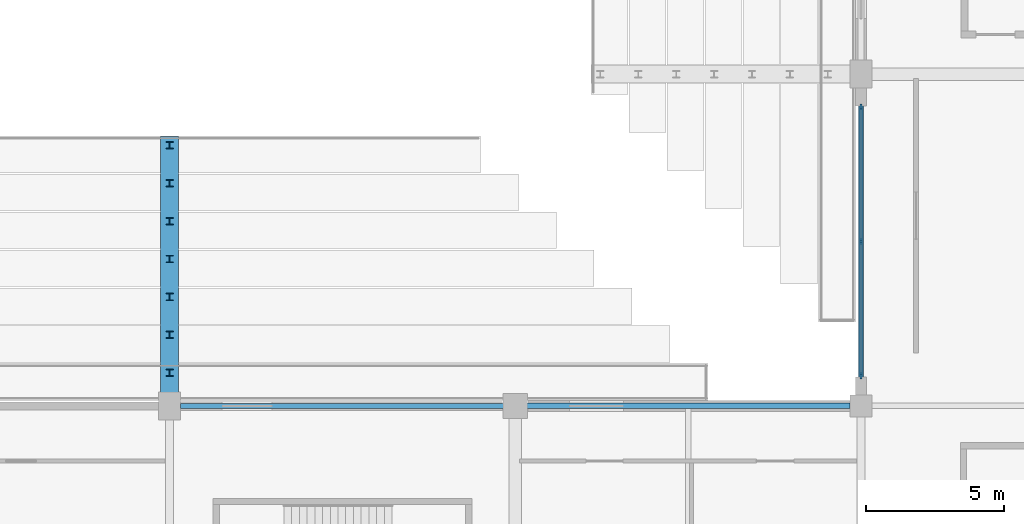
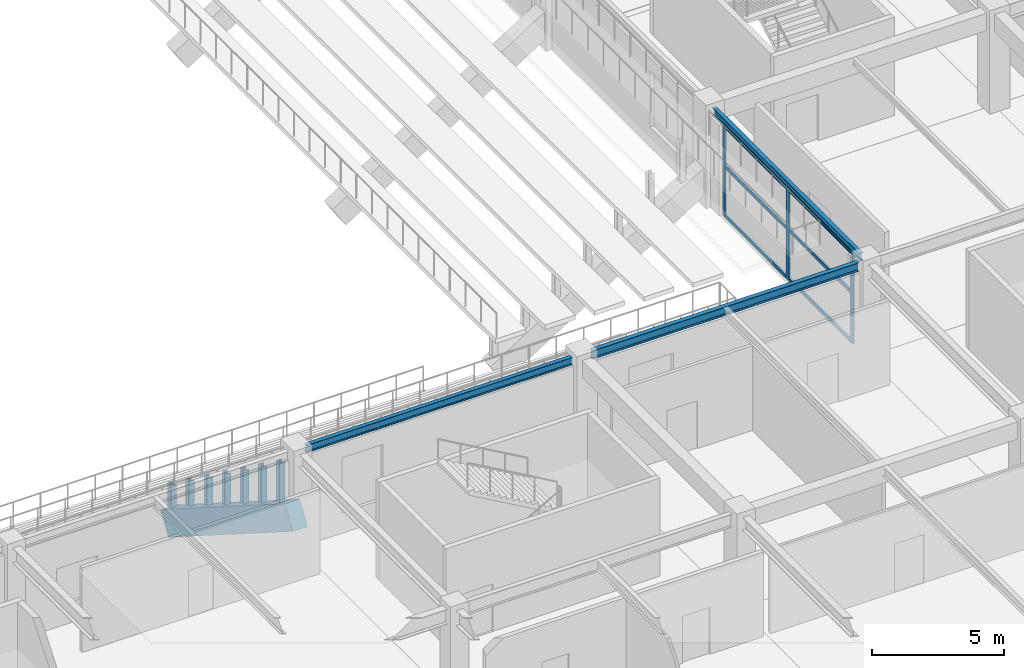
# One storey, part 33 of 134: 16 members, 4 beams, 1 element without a shape of its own.
"""IFC4 building model written with IfcOpenShell, lengths in metres."""

import ifcopenshell
import ifcopenshell.guid

model = None  # the IFC model being written
_history = None  # IfcOwnerHistory: only IFC2X3 demands one
_inside = {}  # id of a spatial element -> (the spatial element, [elements in it])
_under = {}  # id of a project, library or spatial element -> (it, [spatial elements below it])
_declared = {}  # id of a project -> (the project, [libraries it declares])
_typed = {}  # id of a type object -> (the type object, [elements of that type])
_made_of = {}  # id of a material, layer set ... -> (it, [elements and type objects made of it])


def new_model(schema):
    """Start an empty IFC model of exactly this schema.

    Asked for "IFC4X3", IfcOpenShell would pick the latest addendum, in which some entities
    have other attributes; the version numbers below select the first issue.
    IFC2X3 requires an IfcOwnerHistory on every rooted entity: one is made here for all.
    """
    global model, _history
    if schema == "IFC4X3":
        model = ifcopenshell.file(schema_version=(4, 3, 0, 0))
    else:
        model = ifcopenshell.file(schema=schema)
    _inside.clear()
    _under.clear()
    _declared.clear()
    _typed.clear()
    _made_of.clear()
    _history = None
    if model.schema == "IFC2X3":
        org = make("IfcOrganization", Name="unknown")
        user = make(
            "IfcPersonAndOrganization",
            ThePerson=make("IfcPerson", FamilyName="unknown"),
            TheOrganization=org,
        )
        app = make(
            "IfcApplication",
            ApplicationDeveloper=org,
            Version="unknown",
            ApplicationFullName="unknown",
            ApplicationIdentifier="unknown",
        )
        _history = make(
            "IfcOwnerHistory",
            OwningUser=user,
            OwningApplication=app,
            ChangeAction="ADDED",
            CreationDate=0,
        )
    return model


def make(cls, **values):
    """One entity of the class cls with the attributes given. An attribute that is None is left unset."""
    return model.create_entity(
        cls, **{name: value for name, value in values.items() if value is not None}
    )


def rooted(cls, **values):
    """An entity with a GlobalId (a new one), such as an element, a storey or a relation."""
    return make(cls, GlobalId=ifcopenshell.guid.new(), OwnerHistory=_history, **values)


def si_unit(unit_type, name, prefix=None):
    """IfcSIUnit, for example si_unit("LENGTHUNIT", "METRE", prefix="MILLI")."""
    return make("IfcSIUnit", UnitType=unit_type, Prefix=prefix, Name=name)


def assignment(units):
    """IfcUnitAssignment: the units of a project."""
    return None if units is None else make("IfcUnitAssignment", Units=units)


def point(xyz):
    """IfcCartesianPoint."""
    return None if xyz is None else make("IfcCartesianPoint", Coordinates=xyz)


def direction(xyz):
    """IfcDirection."""
    return None if xyz is None else make("IfcDirection", DirectionRatios=xyz)


def frame(location, z_axis=None, x_axis=None):
    """IfcAxis2Placement3D, a coordinate frame: its origin and axes. An axis left out is left unset."""
    return make(
        "IfcAxis2Placement3D",
        Location=point(location),
        Axis=direction(z_axis),
        RefDirection=direction(x_axis),
    )


def frame_2d(location, x_axis=None):
    """IfcAxis2Placement2D, a coordinate frame in the plane: its origin and x axis."""
    return make(
        "IfcAxis2Placement2D", Location=point(location), RefDirection=direction(x_axis)
    )


def origin():
    """The frame at (0, 0, 0) with its axes left unset."""
    return frame((0.0, 0.0, 0.0))


def origin_2d():
    """The frame at (0, 0) in the plane with its x axis left unset."""
    return frame_2d((0.0, 0.0))


def place(relative_to, where):
    """IfcLocalPlacement: puts the frame where relative to a parent placement (None: the world)."""
    return make(
        "IfcLocalPlacement", PlacementRelTo=relative_to, RelativePlacement=where
    )


def context(
    kind, dimensions, precision=None, world=None, true_north=None, identifier=None
):
    """IfcGeometricRepresentationContext, for example the 3D "Model" context."""
    return make(
        "IfcGeometricRepresentationContext",
        ContextIdentifier=identifier,
        ContextType=kind,
        CoordinateSpaceDimension=dimensions,
        Precision=precision,
        WorldCoordinateSystem=world,
        TrueNorth=true_north,
    )


def subcontext(parent, identifier, kind, view, scale=None):
    """IfcGeometricRepresentationSubContext, for example "Body" below "Model"."""
    return make(
        "IfcGeometricRepresentationSubContext",
        ContextIdentifier=identifier,
        ContextType=kind,
        ParentContext=parent,
        TargetScale=scale,
        TargetView=view,
    )


def project(units=None, contexts=None):
    """IfcProject with its units and contexts."""
    return rooted(
        "IfcProject",
        Name="project",
        RepresentationContexts=contexts,
        UnitsInContext=assignment(units),
    )


def spatial(cls, under=None, at=None, **own):
    """A site, building, storey or space (cls), placed at a placement, below another one or the project."""
    s = rooted(cls, ObjectPlacement=at, **own)
    if under is not None:
        _under.setdefault(under.id(), (under, []))[1].append(s)
    return s


def profile(cls, at=None, kind="AREA", **sizes):
    """A parametric profile (cls). Its sizes go by their IFC names, for example OverallWidth=200.0."""
    return make(cls, ProfileType=kind, Position=at, **sizes)


def rectangle(**sizes):
    """IfcRectangleProfileDef."""
    return profile("IfcRectangleProfileDef", **sizes)


def i_section(**sizes):
    """IfcIShapeProfileDef."""
    return profile("IfcIShapeProfileDef", **sizes)


def extrude(swept, where, along, depth):
    """IfcExtrudedAreaSolid: the profile swept, set in the frame where, extruded along a direction by depth."""
    return make(
        "IfcExtrudedAreaSolid",
        SweptArea=swept,
        Position=where,
        ExtrudedDirection=direction(along),
        Depth=depth,
    )


def shape(context_of_items, identifier, shape_type, items):
    """IfcShapeRepresentation: the items that make up one representation, for example the "Body"."""
    return make(
        "IfcShapeRepresentation",
        ContextOfItems=context_of_items,
        RepresentationIdentifier=identifier,
        RepresentationType=shape_type,
        Items=items,
    )


def material(Name=None, Category=None):
    """IfcMaterial."""
    return make("IfcMaterial", Name=Name, Category=Category)


def layer(
    of_material, thickness, ventilated=None, Name=None, Category=None, Priority=None
):
    """IfcMaterialLayer: one layer of a wall or slab, of a material (None: an air gap)."""
    return make(
        "IfcMaterialLayer",
        Material=of_material,
        LayerThickness=thickness,
        IsVentilated=ventilated,
        Name=Name,
        Category=Category,
        Priority=Priority,
    )


def layer_set(layers, Name=None):
    """IfcMaterialLayerSet."""
    return make("IfcMaterialLayerSet", MaterialLayers=layers, LayerSetName=Name)


def material_profile(
    of_material, cross_section, Name=None, Category=None, Priority=None
):
    """IfcMaterialProfile: a cross section and its material."""
    return make(
        "IfcMaterialProfile",
        Name=Name,
        Material=of_material,
        Profile=cross_section,
        Priority=Priority,
        Category=Category,
    )


def profile_set(profiles, Name=None, composite=None):
    """IfcMaterialProfileSet."""
    return make(
        "IfcMaterialProfileSet",
        Name=Name,
        MaterialProfiles=profiles,
        CompositeProfile=composite,
    )


def made_of(thing, what):
    """Note that an element or type object is made of a material, layer set ...; save() writes the relation."""
    if what is not None:
        _made_of.setdefault(what.id(), (what, []))[1].append(thing)
    return thing


def type_object(cls, material=None, **own):
    """A type object (cls), such as IfcWallType, which elements share."""
    return made_of(rooted(cls, **own), material)


def element(
    cls,
    number,
    at=None,
    inside=None,
    cuts=None,
    type_object=None,
    material=None,
    context=None,
    identifier="Body",
    shape_type=None,
    held_by="IfcProductDefinitionShape",
    body=None,
    shapes=None,
    **own,
):
    """One element of the class cls, such as IfcWall. Its Tag is "e" and its number.

    at: its placement. inside: the storey or other place that contains it. cuts: it is an
    opening in that element (IfcRelVoidsElement). A single representation is given by context,
    identifier, shape_type and body (its items); several are given by shapes. held_by: the class
    of the entity that holds the representations. save() writes the other relations.
    """
    e = rooted(cls, Tag="e%d" % number, ObjectPlacement=at, **own)
    if body is not None:
        shapes = [shape(context, identifier, shape_type, body)]
    if shapes is not None:
        e.Representation = make(held_by, Representations=shapes)
    if inside is not None:
        _inside.setdefault(inside.id(), (inside, []))[1].append(e)
    if cuts is not None:
        rooted(
            "IfcRelVoidsElement", RelatingBuildingElement=cuts, RelatedOpeningElement=e
        )
    if type_object is not None:
        _typed.setdefault(type_object.id(), (type_object, []))[1].append(e)
    return made_of(e, material)


def aggregate(whole, parts):
    """IfcRelAggregates: a whole, such as a stair, and the parts it consists of."""
    return rooted("IfcRelAggregates", RelatingObject=whole, RelatedObjects=parts)


def save(model, path):
    """Write the relations noted so far, then the file.

    IfcRelAggregates (storeys below a building ...), IfcRelContainedInSpatialStructure (elements
    in a storey), IfcRelDefinesByType, IfcRelAssociatesMaterial and IfcRelDeclares: one each for
    every whole, place, type object, material and project.
    """
    for whole, parts in _under.values():
        aggregate(whole, parts)
    for where, things in _inside.values():
        rooted(
            "IfcRelContainedInSpatialStructure",
            RelatedElements=things,
            RelatingStructure=where,
        )
    for kind, things in _typed.values():
        rooted("IfcRelDefinesByType", RelatedObjects=things, RelatingType=kind)
    for what, things in _made_of.values():
        rooted("IfcRelAssociatesMaterial", RelatedObjects=things, RelatingMaterial=what)
    for by, libraries in _declared.values():
        rooted("IfcRelDeclares", RelatingContext=by, RelatedDefinitions=libraries)
    model.write(path)


model = new_model("IFC4")

# Units and contexts
model_context = context("Model", 3, precision=1e-05, world=origin(), true_north=direction((0.0, 1.0)))
body_context = subcontext(model_context, "Body", "Model", "MODEL_VIEW")
ifc_project = project(units=[si_unit("LENGTHUNIT", "METRE"), si_unit("AREAUNIT", "SQUARE_METRE"), si_unit("VOLUMEUNIT", "CUBIC_METRE"), si_unit("PLANEANGLEUNIT", "RADIAN"), si_unit("MASSUNIT", "GRAM", prefix="KILO")], contexts=[model_context])

# Site, building, storey
site_placement = place(None, origin())
site = spatial("IfcSite", under=ifc_project, at=site_placement, CompositionType="ELEMENT")
building_placement = place(site_placement, origin())
building = spatial("IfcBuilding", under=site, at=building_placement, Name="Kazenohara Klinker Stadium", CompositionType="ELEMENT")
storey_placement = place(building_placement, frame((0.0, 0.0, 5.39990234375)))
storey = spatial("IfcBuildingStorey", under=building, at=storey_placement, Name="L01", CompositionType="ELEMENT", Elevation=5.39990234375)

# Beams
ifc_material_1 = material(Name="Steel S355", Category="steel")
ifc_material_profile_1 = material_profile(ifc_material_1, i_section(OverallWidth=0.199951171875, OverallDepth=0.39990234375, WebThickness=0.008056640625, FlangeThickness=0.012939453125, FilletRadius=0.012939453125, at=origin_2d()), Name="H-400x200x8x13")
ifc_profile_set_1 = profile_set([ifc_material_profile_1], Name="Steel S355")
beam_type_1 = type_object("IfcBeamType", Name="BM-SPD01", PredefinedType="SPANDREL", material=ifc_profile_set_1)
beam_1_placement = place(storey_placement, frame((162.919921875, 36.0, 4.35009765625), z_axis=(1.0, 0.0, 0.0), x_axis=(0.0, 1.0, 0.0)))
element("IfcBeam", 1, at=beam_1_placement, inside=storey, type_object=beam_type_1, Name="Primary girder SP01 L01 14-15/D", PredefinedType="SPANDREL", context=body_context, shape_type="SweptSolid", body=[
    extrude(i_section(OverallWidth=0.199951171875, OverallDepth=0.39990234375, WebThickness=0.008056640625, FlangeThickness=0.012939453125, FilletRadius=0.012939453125, at=origin_2d()), origin(), (0.0, 0.0, 1.0), 11.68017578125),
])
ifc_material_profile_2 = material_profile(ifc_material_1, i_section(OverallWidth=0.175048828125, OverallDepth=0.35009765625, WebThickness=0.007080078125, FlangeThickness=0.010986328125, FilletRadius=0.012939453125, at=origin_2d()), Name="H-350x175x7x11")
ifc_profile_set_2 = profile_set([ifc_material_profile_2], Name="Steel S355")
beam_type_2 = type_object("IfcBeamType", Name="BM-SPD02", PredefinedType="SPANDREL", material=ifc_profile_set_2)
beam_2_placement = place(storey_placement, frame((150.39990234375, 36.0, 4.375), z_axis=(1.0, 0.0, 0.0), x_axis=(0.0, 1.0, 0.0)))
element("IfcBeam", 2, at=beam_2_placement, inside=storey, type_object=beam_type_2, Name="Primary girder SP02 L01 13-14/D", PredefinedType="SPANDREL", context=body_context, shape_type="SweptSolid", body=[
    extrude(i_section(OverallWidth=0.175048828125, OverallDepth=0.35009765625, WebThickness=0.007080078125, FlangeThickness=0.010986328125, FilletRadius=0.012939453125, at=origin_2d()), origin(), (0.0, 0.0, 1.0), 11.68017578125),
])
beam_3_placement = place(storey_placement, frame((175.0, 36.39990234375, 4.375), z_axis=(0.0, 1.0, 0.0), x_axis=(-1.0, 0.0, 0.0)))
element("IfcBeam", 3, at=beam_3_placement, inside=storey, type_object=beam_type_2, Name="Primary girder SP02 L01 15/D-E", PredefinedType="SPANDREL", context=body_context, shape_type="SweptSolid", body=[
    extrude(i_section(OverallWidth=0.175048828125, OverallDepth=0.35009765625, WebThickness=0.007080078125, FlangeThickness=0.010986328125, FilletRadius=0.012939453125, at=origin_2d()), origin(), (0.0, 0.0, 1.0), 11.18017578125),
])

# Curtain wall, members
ifc_material_2 = material(Name="Anodised aluminium and triple glazing", Category="aluminium")
ifc_layer = layer(ifc_material_2, 0.169921875)
ifc_layer_set = layer_set([ifc_layer], Name="Anodised aluminium and triple glazing")
curtain_wall_type = type_object("IfcCurtainWallType", Name="CW-SYS-04", PredefinedType="USERDEFINED", material=ifc_layer_set)
curtain_wall_placement = place(storey_placement, origin())
curtain_wall = element("IfcCurtainWall", 4, at=curtain_wall_placement, inside=storey, type_object=curtain_wall_type, Name="Unitised facade curtain wall CW04 L01 Y14-3", ObjectType="UNITISED CURTAIN WALL", PredefinedType="USERDEFINED")
ifc_material_3 = material(Name="Anodised aluminium 6063-T6", Category="aluminium")
ifc_material_profile_3 = material_profile(ifc_material_3, rectangle(XDim=0.074951171875, YDim=0.219970703125, at=origin_2d()), Name="ALU-MUL-75x220")
ifc_profile_set_3 = profile_set([ifc_material_profile_3], Name="Anodised aluminium 6063-T6")
member_type_1 = type_object("IfcMemberType", Name="CW-MUL-220", PredefinedType="MULLION", material=ifc_profile_set_3)
member_1_placement = place(storey_placement, frame((175.0, 37.091552734375, 0.0), z_axis=(0.0, 0.0, 1.0), x_axis=(-1.0, 0.0, 0.0)))
member_1 = element("IfcMember", 5, at=member_1_placement, type_object=member_type_1, Name="CW04 mullion 1", PredefinedType="MULLION", context=body_context, shape_type="SweptSolid", body=[
    extrude(rectangle(XDim=0.074951171875, YDim=0.219970703125, at=origin_2d()), origin(), (0.0, 0.0, 1.0), 4.2001953125),
])
member_2_placement = place(storey_placement, frame((175.0, 41.949951171875, 0.0), z_axis=(0.0, 0.0, 1.0), x_axis=(-1.0, 0.0, 0.0)))
member_2 = element("IfcMember", 6, at=member_2_placement, type_object=member_type_1, Name="CW04 mullion 2", PredefinedType="MULLION", context=body_context, shape_type="SweptSolid", body=[
    extrude(rectangle(XDim=0.074951171875, YDim=0.219970703125, at=origin_2d()), origin(), (0.0, 0.0, 1.0), 4.2001953125),
])
member_3_placement = place(storey_placement, frame((175.0, 46.80859375, 0.0), z_axis=(0.0, 0.0, 1.0), x_axis=(-1.0, 0.0, 0.0)))
member_3 = element("IfcMember", 7, at=member_3_placement, type_object=member_type_1, Name="CW04 mullion 3", PredefinedType="MULLION", context=body_context, shape_type="SweptSolid", body=[
    extrude(rectangle(XDim=0.074951171875, YDim=0.219970703125, at=origin_2d()), origin(), (0.0, 0.0, 1.0), 4.2001953125),
])
ifc_material_profile_4 = material_profile(ifc_material_3, rectangle(XDim=0.074951171875, YDim=0.159912109375, at=origin_2d()), Name="ALU-TRN-75x160")
ifc_profile_set_4 = profile_set([ifc_material_profile_4], Name="Anodised aluminium 6063-T6")
member_type_2 = type_object("IfcMemberType", Name="CW-TRN-160", PredefinedType="USERDEFINED", material=ifc_profile_set_4)
member_4_placement = place(storey_placement, frame((175.0, 37.12890625, 0.03759765625), z_axis=(0.0, 1.0, 0.0), x_axis=(-1.0, 0.0, 0.0)))
member_4 = element("IfcMember", 8, at=member_4_placement, type_object=member_type_2, Name="CW04 transom 1.1", ObjectType="TRANSOM", PredefinedType="USERDEFINED", context=body_context, shape_type="SweptSolid", body=[
    extrude(rectangle(XDim=0.074951171875, YDim=0.159912109375, at=origin_2d()), origin(), (0.0, 0.0, 1.0), 4.78369140625),
])
member_5_placement = place(storey_placement, frame((175.0, 37.12890625, 2.31005859375), z_axis=(0.0, 1.0, 0.0), x_axis=(-1.0, 0.0, 0.0)))
member_5 = element("IfcMember", 9, at=member_5_placement, type_object=member_type_2, Name="CW04 transom 1.2", ObjectType="TRANSOM", PredefinedType="USERDEFINED", context=body_context, shape_type="SweptSolid", body=[
    extrude(rectangle(XDim=0.074951171875, YDim=0.159912109375, at=origin_2d()), origin(), (0.0, 0.0, 1.0), 4.78369140625),
])
member_6_placement = place(storey_placement, frame((175.0, 37.12890625, 4.16259765625), z_axis=(0.0, 1.0, 0.0), x_axis=(-1.0, 0.0, 0.0)))
member_6 = element("IfcMember", 10, at=member_6_placement, type_object=member_type_2, Name="CW04 transom 1.3", ObjectType="TRANSOM", PredefinedType="USERDEFINED", context=body_context, shape_type="SweptSolid", body=[
    extrude(rectangle(XDim=0.074951171875, YDim=0.159912109375, at=origin_2d()), origin(), (0.0, 0.0, 1.0), 4.78369140625),
])
member_7_placement = place(storey_placement, frame((175.0, 41.987548828125, 0.03759765625), z_axis=(0.0, 1.0, 0.0), x_axis=(-1.0, 0.0, 0.0)))
member_7 = element("IfcMember", 11, at=member_7_placement, type_object=member_type_2, Name="CW04 transom 2.1", ObjectType="TRANSOM", PredefinedType="USERDEFINED", context=body_context, shape_type="SweptSolid", body=[
    extrude(rectangle(XDim=0.074951171875, YDim=0.159912109375, at=origin_2d()), origin(), (0.0, 0.0, 1.0), 4.783447265625),
])
member_8_placement = place(storey_placement, frame((175.0, 41.987548828125, 2.31005859375), z_axis=(0.0, 1.0, 0.0), x_axis=(-1.0, 0.0, 0.0)))
member_8 = element("IfcMember", 12, at=member_8_placement, type_object=member_type_2, Name="CW04 transom 2.2", ObjectType="TRANSOM", PredefinedType="USERDEFINED", context=body_context, shape_type="SweptSolid", body=[
    extrude(rectangle(XDim=0.074951171875, YDim=0.159912109375, at=origin_2d()), origin(), (0.0, 0.0, 1.0), 4.783447265625),
])
member_9_placement = place(storey_placement, frame((175.0, 41.987548828125, 4.16259765625), z_axis=(0.0, 1.0, 0.0), x_axis=(-1.0, 0.0, 0.0)))
member_9 = element("IfcMember", 13, at=member_9_placement, type_object=member_type_2, Name="CW04 transom 2.3", ObjectType="TRANSOM", PredefinedType="USERDEFINED", context=body_context, shape_type="SweptSolid", body=[
    extrude(rectangle(XDim=0.074951171875, YDim=0.159912109375, at=origin_2d()), origin(), (0.0, 0.0, 1.0), 4.783447265625),
])
aggregate(curtain_wall, [member_1, member_2, member_3, member_4, member_5, member_6, member_7, member_8, member_9])

# Members
ifc_material_profile_5 = material_profile(ifc_material_1, i_section(OverallWidth=0.25, OverallDepth=0.25, WebThickness=0.009033203125, FlangeThickness=0.013916015625, FilletRadius=0.012939453125, at=origin_2d()), Name="H-250x250x9x14")
ifc_profile_set_5 = profile_set([ifc_material_profile_5], Name="Steel S355")
member_type_3 = type_object("IfcMemberType", Name="MEM-STR02", PredefinedType="STRUT", material=ifc_profile_set_5)
member_10_placement = place(storey_placement, frame((150.0, 37.198486328125, 1.2783203125), z_axis=(0.0, 0.0, 1.0), x_axis=(1.0, 0.0, 0.0)))
element("IfcMember", 14, at=member_10_placement, inside=storey, type_object=member_type_3, Name="Precast tier riser stool LOWER-S-01-12", PredefinedType="STRUT", context=body_context, shape_type="SweptSolid", body=[
    extrude(i_section(OverallWidth=0.25, OverallDepth=0.25, WebThickness=0.009033203125, FlangeThickness=0.013916015625, FilletRadius=0.012939453125, at=origin_2d()), origin(), (0.0, 0.0, 1.0), 1.911865234375),
])
member_11_placement = place(storey_placement, frame((150.0, 38.570068359375, 0.407470703125), z_axis=(0.0, 0.0, 1.0), x_axis=(1.0, 0.0, 0.0)))
element("IfcMember", 15, at=member_11_placement, inside=storey, type_object=member_type_3, Name="Precast tier riser stool LOWER-S-02-12", PredefinedType="STRUT", context=body_context, shape_type="SweptSolid", body=[
    extrude(i_section(OverallWidth=0.25, OverallDepth=0.25, WebThickness=0.009033203125, FlangeThickness=0.013916015625, FilletRadius=0.012939453125, at=origin_2d()), origin(), (0.0, 0.0, 1.0), 1.78271484375),
])
member_12_placement = place(storey_placement, frame((150.0, 39.94140625, -0.463134765625), z_axis=(0.0, 0.0, 1.0), x_axis=(1.0, 0.0, 0.0)))
element("IfcMember", 16, at=member_12_placement, inside=storey, type_object=member_type_3, Name="Precast tier riser stool LOWER-S-03-12", PredefinedType="STRUT", context=body_context, shape_type="SweptSolid", body=[
    extrude(i_section(OverallWidth=0.25, OverallDepth=0.25, WebThickness=0.009033203125, FlangeThickness=0.013916015625, FilletRadius=0.012939453125, at=origin_2d()), origin(), (0.0, 0.0, 1.0), 1.6533203125),
])
member_13_placement = place(storey_placement, frame((150.0, 41.31298828125, -1.333984375), z_axis=(0.0, 0.0, 1.0), x_axis=(1.0, 0.0, 0.0)))
element("IfcMember", 17, at=member_13_placement, inside=storey, type_object=member_type_3, Name="Precast tier riser stool LOWER-S-04-12", PredefinedType="STRUT", context=body_context, shape_type="SweptSolid", body=[
    extrude(i_section(OverallWidth=0.25, OverallDepth=0.25, WebThickness=0.009033203125, FlangeThickness=0.013916015625, FilletRadius=0.012939453125, at=origin_2d()), origin(), (0.0, 0.0, 1.0), 1.524169921875),
])
member_14_placement = place(storey_placement, frame((150.0, 42.684326171875, -2.20458984375), z_axis=(0.0, 0.0, 1.0), x_axis=(1.0, 0.0, 0.0)))
element("IfcMember", 18, at=member_14_placement, inside=storey, type_object=member_type_3, Name="Precast tier riser stool LOWER-S-05-12", PredefinedType="STRUT", context=body_context, shape_type="SweptSolid", body=[
    extrude(i_section(OverallWidth=0.25, OverallDepth=0.25, WebThickness=0.009033203125, FlangeThickness=0.013916015625, FilletRadius=0.012939453125, at=origin_2d()), origin(), (0.0, 0.0, 1.0), 1.394775390625),
])
member_15_placement = place(storey_placement, frame((150.0, 44.0556640625, -3.075439453125), z_axis=(0.0, 0.0, 1.0), x_axis=(1.0, 0.0, 0.0)))
element("IfcMember", 19, at=member_15_placement, inside=storey, type_object=member_type_3, Name="Precast tier riser stool LOWER-S-06-12", PredefinedType="STRUT", context=body_context, shape_type="SweptSolid", body=[
    extrude(i_section(OverallWidth=0.25, OverallDepth=0.25, WebThickness=0.009033203125, FlangeThickness=0.013916015625, FilletRadius=0.012939453125, at=origin_2d()), origin(), (0.0, 0.0, 1.0), 1.265625),
])
member_16_placement = place(storey_placement, frame((150.0, 45.427001953125, -3.9462890625), z_axis=(0.0, 0.0, 1.0), x_axis=(1.0, 0.0, 0.0)))
element("IfcMember", 20, at=member_16_placement, inside=storey, type_object=member_type_3, Name="Precast tier riser stool LOWER-S-07-12", PredefinedType="STRUT", context=body_context, shape_type="SweptSolid", body=[
    extrude(i_section(OverallWidth=0.25, OverallDepth=0.25, WebThickness=0.009033203125, FlangeThickness=0.013916015625, FilletRadius=0.012939453125, at=origin_2d()), origin(), (0.0, 0.0, 1.0), 1.136474609375),
])

# Beam
ifc_material_4 = material(Name="Precast concrete C50/60", Category="concrete")
ifc_material_profile_6 = material_profile(ifc_material_4, rectangle(XDim=0.64990234375, YDim=1.10009765625, at=origin_2d()), Name="PC-RAKER-650x1100")
ifc_profile_set_6 = profile_set([ifc_material_profile_6], Name="Precast concrete C50/60")
beam_type_3 = type_object("IfcBeamType", Name="RAKER-RK01", PredefinedType="USERDEFINED", material=ifc_profile_set_6)
beam_4_placement = place(storey_placement, frame((150.0, 36.0, 1.401611328125), z_axis=(0.0, 0.844211562005, -0.536010110518), x_axis=(-1.0, 0.0, 0.0)))
element("IfcBeam", 21, at=beam_4_placement, inside=storey, type_object=beam_type_3, Name="Precast bowl raker girder RK01 LOWER South 13", ObjectType="RAKER", PredefinedType="USERDEFINED", context=body_context, shape_type="SweptSolid", body=[
    extrude(rectangle(XDim=0.64990234375, YDim=1.10009765625, at=origin_2d()), origin(), (0.0, 0.0, 1.0), 11.19384765625),
])

save(model, "model.ifc")
